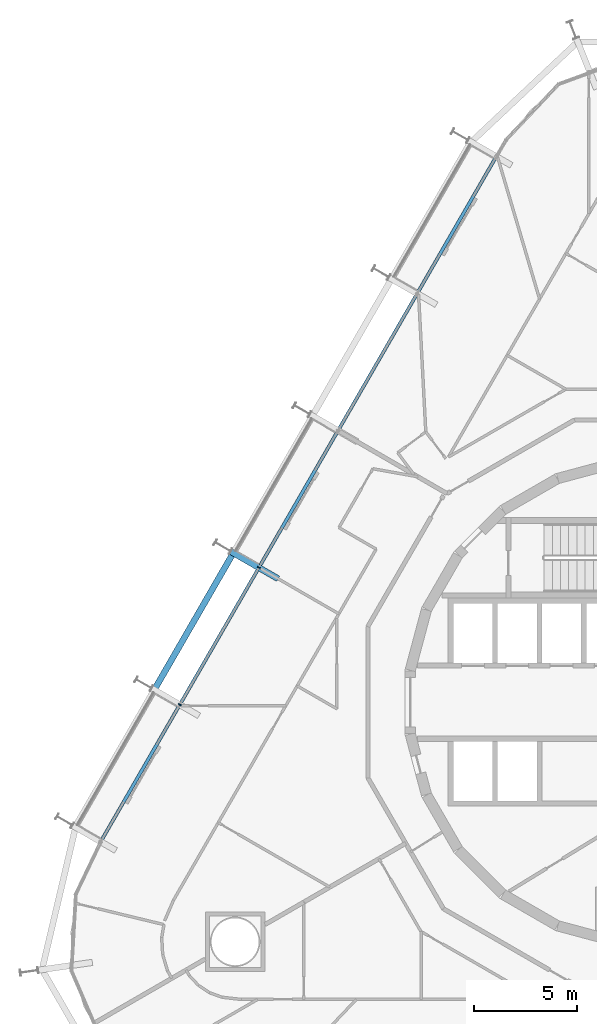
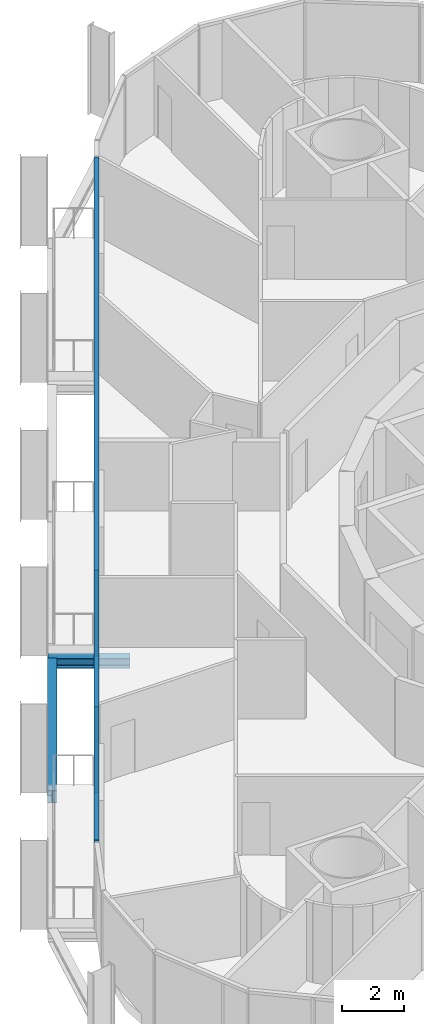
# One storey, part 5 of 21: 3 members, 2 beams, 1 element without a shape of its own.
"""IFC4 building model written with IfcOpenShell, lengths in metres."""

from ifc_helpers import new_model, si_unit, direction, frame, origin, origin_2d, place, context, subcontext, project, spatial, rectangle, i_section, extrude, material, layer, layer_set, material_profile, profile_set, type_object, element, aggregate, save


model = new_model("IFC4")

# Units and contexts
model_context = context("Model", 3, precision=1e-05, world=origin(), true_north=direction((0.0, 1.0)))
body_context = subcontext(model_context, "Body", "Model", "MODEL_VIEW")
ifc_project = project(units=[si_unit("LENGTHUNIT", "METRE"), si_unit("AREAUNIT", "SQUARE_METRE"), si_unit("VOLUMEUNIT", "CUBIC_METRE"), si_unit("PLANEANGLEUNIT", "RADIAN"), si_unit("MASSUNIT", "GRAM", prefix="KILO")], contexts=[model_context])

# Site, building, storey
site_placement = place(None, origin())
site = spatial("IfcSite", under=ifc_project, at=site_placement, CompositionType="ELEMENT")
building_placement = place(site_placement, origin())
building = spatial("IfcBuilding", under=site, at=building_placement, Name="Spindle Arch Residences", CompositionType="ELEMENT")
storey_placement = place(building_placement, frame((0.0, 0.0, 55.89990234375)))
storey = spatial("IfcBuildingStorey", under=building, at=storey_placement, Name="L12", CompositionType="ELEMENT", Elevation=55.89990234375)

# Curtain wall, members
ifc_material_1 = material(Name="Aluminium bronze unitised frame with tinted glass", Category="aluminium")
ifc_layer = layer(ifc_material_1, 0.159912109375)
ifc_layer_set = layer_set([ifc_layer], Name="CW-C typical residential unitised wall")
curtain_wall_type = type_object("IfcCurtainWallType", Name="CW-C typical residential unitised wall", PredefinedType="NOTDEFINED", material=ifc_layer_set)
curtain_wall_placement = place(storey_placement, origin())
curtain_wall = element("IfcCurtainWall", 1, at=curtain_wall_placement, inside=storey, type_object=curtain_wall_type, Name="CW-C L12 run 4", PredefinedType="NOTDEFINED")
ifc_material_2 = material(Name="Aluminium bronze anodised mullion", Category="aluminium")
ifc_material_profile_1 = material_profile(ifc_material_2, rectangle(XDim=0.159912109375, YDim=0.06005859375, at=origin_2d()), Name="MU 60x160")
ifc_profile_set_1 = profile_set([ifc_material_profile_1], Name="Aluminium bronze anodised mullion")
member_type_1 = type_object("IfcMemberType", Name="Bronze mullion 60x160", PredefinedType="MULLION", material=ifc_profile_set_1)
member_1_placement = place(storey_placement, frame((-18.9892578125, 6.529296875, -0.3798828125), z_axis=(0.0, 0.0, 1.0), x_axis=(0.866025403784, -0.5, 0.0)))
member_1 = element("IfcMember", 2, at=member_1_placement, type_object=member_type_1, Name="CW-C mullion 16", PredefinedType="MULLION", context=body_context, shape_type="SweptSolid", body=[
    extrude(rectangle(XDim=0.159912109375, YDim=0.06005859375, at=origin_2d()), origin(), (0.0, 0.0, 1.0), 3.3798828125),
])
member_2_placement = place(storey_placement, frame((-22.829345703125, -0.121826171875, -0.3798828125), z_axis=(0.0, 0.0, 1.0), x_axis=(0.866025403784, -0.5, 0.0)))
member_2 = element("IfcMember", 3, at=member_2_placement, type_object=member_type_1, Name="CW-C mullion 17", PredefinedType="MULLION", context=body_context, shape_type="SweptSolid", body=[
    extrude(rectangle(XDim=0.159912109375, YDim=0.06005859375, at=origin_2d()), origin(), (0.0, 0.0, 1.0), 3.3798828125),
])
ifc_material_3 = material(Name="Aluminium bronze anodised transom", Category="aluminium")
ifc_material_profile_2 = material_profile(ifc_material_3, rectangle(XDim=0.159912109375, YDim=0.1201171875, at=origin_2d()), Name="TR 120x160")
ifc_profile_set_2 = profile_set([ifc_material_profile_2], Name="Aluminium bronze anodised transom")
member_type_2 = type_object("IfcMemberType", Name="Bronze transom 120x160", PredefinedType="USERDEFINED", material=ifc_profile_set_2)
member_3_placement = place(storey_placement, frame((-7.484130859375, 26.456787109375, 3.06005859375), z_axis=(-0.50000099666, -0.866024828362, 0.0), x_axis=(0.866024828362, -0.50000099666, 0.0)))
member_3 = element("IfcMember", 4, at=member_3_placement, type_object=member_type_2, Name="CW-C transom 00", ObjectType="TRANSOM", PredefinedType="USERDEFINED", context=body_context, shape_type="SweptSolid", body=[
    extrude(rectangle(XDim=0.159912109375, YDim=0.1201171875, at=origin_2d()), origin(), (0.0, 0.0, 1.0), 38.34033203125),
])
aggregate(curtain_wall, [member_3, member_1, member_2])

# Beams
ifc_material_4 = material(Name="Steel S460ML, intumescent coating R 120", Category="steel")
ifc_material_profile_3 = material_profile(ifc_material_4, i_section(OverallWidth=0.300048828125, OverallDepth=0.5, WebThickness=0.014404296875, FlangeThickness=0.028076171875, FilletRadius=0.027099609375, at=origin_2d()), Name="HEB 500")
ifc_profile_set_3 = profile_set([ifc_material_profile_3], Name="Steel S460ML, intumescent coating R 120")
beam_type_1 = type_object("IfcBeamType", Name="Exoskeleton edge beam HEB 500", PredefinedType="BEAM", material=ifc_profile_set_3)
beam_1_placement = place(storey_placement, frame((-20.29541015625, 7.13330078125, -0.6298828125), z_axis=(-0.49998923004, -0.866031621735, 0.0), x_axis=(0.866031621735, -0.49998923004, 0.0)))
element("IfcBeam", 5, at=beam_1_placement, inside=storey, type_object=beam_type_1, Name="Exoskeleton edge beam 17", PredefinedType="BEAM", context=body_context, shape_type="SweptSolid", body=[
    extrude(i_section(OverallWidth=0.300048828125, OverallDepth=0.5, WebThickness=0.014404296875, FlangeThickness=0.028076171875, FilletRadius=0.027099609375, at=origin_2d()), origin(), (0.0, 0.0, 1.0), 7.420166015625),
])
ifc_material_5 = material(Name="Steel S460ML, intumescent coating R 120", Category="steel")
ifc_material_profile_4 = material_profile(ifc_material_5, i_section(OverallWidth=0.300048828125, OverallDepth=0.389892578125, WebThickness=0.010986328125, FlangeThickness=0.01904296875, FilletRadius=0.027099609375, at=origin_2d()), Name="HEA 400")
ifc_profile_set_4 = profile_set([ifc_material_profile_4], Name="Steel S460ML, intumescent coating R 120")
beam_type_2 = type_object("IfcBeamType", Name="Floor outrigger HEA 400", PredefinedType="BEAM", material=ifc_profile_set_4)
beam_2_placement = place(storey_placement, frame((-20.34912109375, 7.314453125, -0.574951171875), z_axis=(0.866052124492, -0.499953715521, 0.0), x_axis=(0.499953715521, 0.866052124492, 0.0)))
element("IfcBeam", 6, at=beam_2_placement, inside=storey, type_object=beam_type_2, Name="Floor outrigger 17", PredefinedType="BEAM", context=body_context, shape_type="SweptSolid", body=[
    extrude(i_section(OverallWidth=0.300048828125, OverallDepth=0.389892578125, WebThickness=0.010986328125, FlangeThickness=0.01904296875, FilletRadius=0.027099609375, at=origin_2d()), origin(), (0.0, 0.0, 1.0), 2.650146484375),
])

save(model, "model.ifc")
